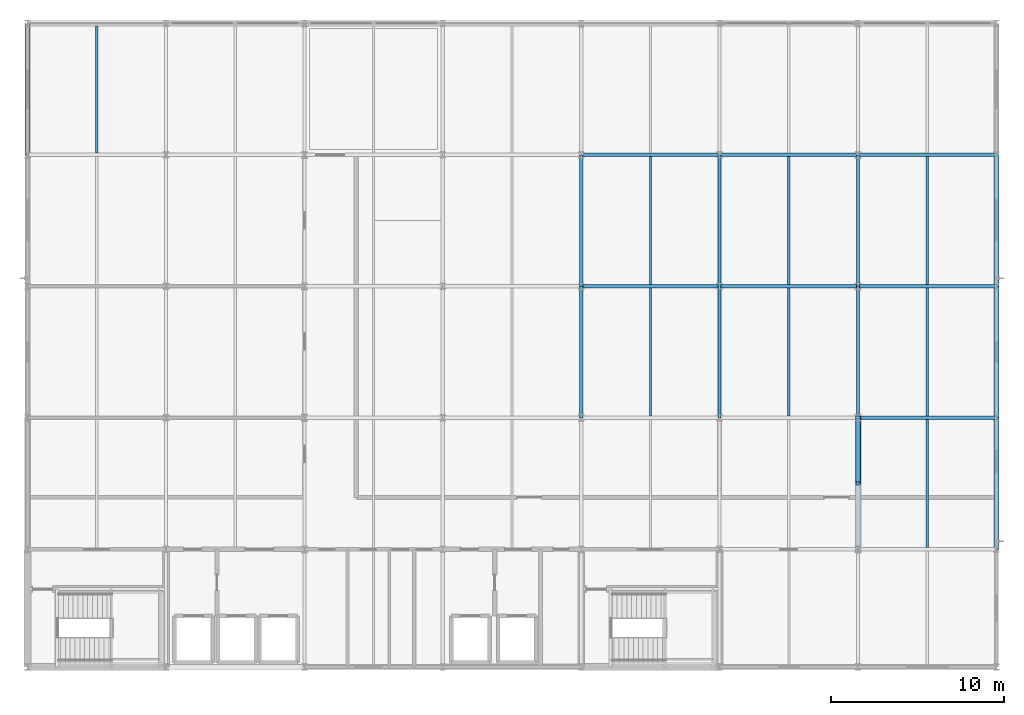
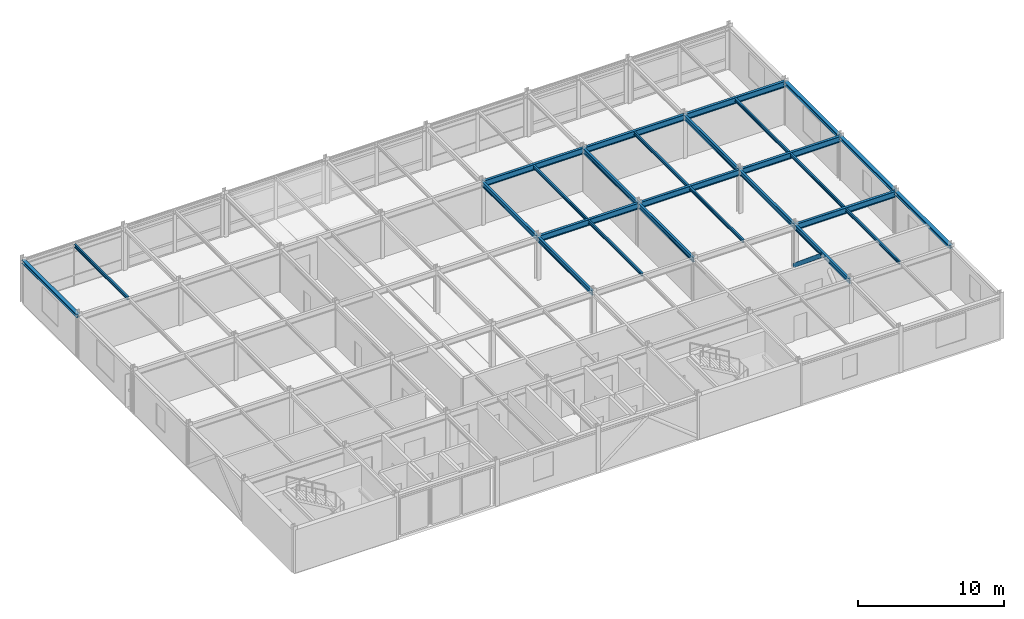
# One storey, part 5 of 15: 26 beams, 1 member.
"""IFC4 building model written with IfcOpenShell, lengths in metres."""

import ifcopenshell
import ifcopenshell.guid

model = None  # the IFC model being written
_history = None  # IfcOwnerHistory: only IFC2X3 demands one
_inside = {}  # id of a spatial element -> (the spatial element, [elements in it])
_under = {}  # id of a project, library or spatial element -> (it, [spatial elements below it])
_declared = {}  # id of a project -> (the project, [libraries it declares])
_typed = {}  # id of a type object -> (the type object, [elements of that type])
_made_of = {}  # id of a material, layer set ... -> (it, [elements and type objects made of it])


def new_model(schema):
    """Start an empty IFC model of exactly this schema.

    Asked for "IFC4X3", IfcOpenShell would pick the latest addendum, in which some entities
    have other attributes; the version numbers below select the first issue.
    IFC2X3 requires an IfcOwnerHistory on every rooted entity: one is made here for all.
    """
    global model, _history
    if schema == "IFC4X3":
        model = ifcopenshell.file(schema_version=(4, 3, 0, 0))
    else:
        model = ifcopenshell.file(schema=schema)
    _inside.clear()
    _under.clear()
    _declared.clear()
    _typed.clear()
    _made_of.clear()
    _history = None
    if model.schema == "IFC2X3":
        org = make("IfcOrganization", Name="unknown")
        user = make(
            "IfcPersonAndOrganization",
            ThePerson=make("IfcPerson", FamilyName="unknown"),
            TheOrganization=org,
        )
        app = make(
            "IfcApplication",
            ApplicationDeveloper=org,
            Version="unknown",
            ApplicationFullName="unknown",
            ApplicationIdentifier="unknown",
        )
        _history = make(
            "IfcOwnerHistory",
            OwningUser=user,
            OwningApplication=app,
            ChangeAction="ADDED",
            CreationDate=0,
        )
    return model


def make(cls, **values):
    """One entity of the class cls with the attributes given. An attribute that is None is left unset."""
    return model.create_entity(
        cls, **{name: value for name, value in values.items() if value is not None}
    )


def rooted(cls, **values):
    """An entity with a GlobalId (a new one), such as an element, a storey or a relation."""
    return make(cls, GlobalId=ifcopenshell.guid.new(), OwnerHistory=_history, **values)


def si_unit(unit_type, name, prefix=None):
    """IfcSIUnit, for example si_unit("LENGTHUNIT", "METRE", prefix="MILLI")."""
    return make("IfcSIUnit", UnitType=unit_type, Prefix=prefix, Name=name)


def assignment(units):
    """IfcUnitAssignment: the units of a project."""
    return None if units is None else make("IfcUnitAssignment", Units=units)


def point(xyz):
    """IfcCartesianPoint."""
    return None if xyz is None else make("IfcCartesianPoint", Coordinates=xyz)


def direction(xyz):
    """IfcDirection."""
    return None if xyz is None else make("IfcDirection", DirectionRatios=xyz)


def frame(location, z_axis=None, x_axis=None):
    """IfcAxis2Placement3D, a coordinate frame: its origin and axes. An axis left out is left unset."""
    return make(
        "IfcAxis2Placement3D",
        Location=point(location),
        Axis=direction(z_axis),
        RefDirection=direction(x_axis),
    )


def frame_2d(location, x_axis=None):
    """IfcAxis2Placement2D, a coordinate frame in the plane: its origin and x axis."""
    return make(
        "IfcAxis2Placement2D", Location=point(location), RefDirection=direction(x_axis)
    )


def origin():
    """The frame at (0, 0, 0) with its axes left unset."""
    return frame((0.0, 0.0, 0.0))


def origin_2d():
    """The frame at (0, 0) in the plane with its x axis left unset."""
    return frame_2d((0.0, 0.0))


def place(relative_to, where):
    """IfcLocalPlacement: puts the frame where relative to a parent placement (None: the world)."""
    return make(
        "IfcLocalPlacement", PlacementRelTo=relative_to, RelativePlacement=where
    )


def context(
    kind, dimensions, precision=None, world=None, true_north=None, identifier=None
):
    """IfcGeometricRepresentationContext, for example the 3D "Model" context."""
    return make(
        "IfcGeometricRepresentationContext",
        ContextIdentifier=identifier,
        ContextType=kind,
        CoordinateSpaceDimension=dimensions,
        Precision=precision,
        WorldCoordinateSystem=world,
        TrueNorth=true_north,
    )


def subcontext(parent, identifier, kind, view, scale=None):
    """IfcGeometricRepresentationSubContext, for example "Body" below "Model"."""
    return make(
        "IfcGeometricRepresentationSubContext",
        ContextIdentifier=identifier,
        ContextType=kind,
        ParentContext=parent,
        TargetScale=scale,
        TargetView=view,
    )


def project(units=None, contexts=None):
    """IfcProject with its units and contexts."""
    return rooted(
        "IfcProject",
        Name="project",
        RepresentationContexts=contexts,
        UnitsInContext=assignment(units),
    )


def spatial(cls, under=None, at=None, **own):
    """A site, building, storey or space (cls), placed at a placement, below another one or the project."""
    s = rooted(cls, ObjectPlacement=at, **own)
    if under is not None:
        _under.setdefault(under.id(), (under, []))[1].append(s)
    return s


def profile(cls, at=None, kind="AREA", **sizes):
    """A parametric profile (cls). Its sizes go by their IFC names, for example OverallWidth=200.0."""
    return make(cls, ProfileType=kind, Position=at, **sizes)


def hollow_circle(**sizes):
    """IfcCircleHollowProfileDef."""
    return profile("IfcCircleHollowProfileDef", **sizes)


def i_section(**sizes):
    """IfcIShapeProfileDef."""
    return profile("IfcIShapeProfileDef", **sizes)


def extrude(swept, where, along, depth):
    """IfcExtrudedAreaSolid: the profile swept, set in the frame where, extruded along a direction by depth."""
    return make(
        "IfcExtrudedAreaSolid",
        SweptArea=swept,
        Position=where,
        ExtrudedDirection=direction(along),
        Depth=depth,
    )


def shape(context_of_items, identifier, shape_type, items):
    """IfcShapeRepresentation: the items that make up one representation, for example the "Body"."""
    return make(
        "IfcShapeRepresentation",
        ContextOfItems=context_of_items,
        RepresentationIdentifier=identifier,
        RepresentationType=shape_type,
        Items=items,
    )


def material(Name=None, Category=None):
    """IfcMaterial."""
    return make("IfcMaterial", Name=Name, Category=Category)


def material_profile(
    of_material, cross_section, Name=None, Category=None, Priority=None
):
    """IfcMaterialProfile: a cross section and its material."""
    return make(
        "IfcMaterialProfile",
        Name=Name,
        Material=of_material,
        Profile=cross_section,
        Priority=Priority,
        Category=Category,
    )


def profile_set(profiles, Name=None, composite=None):
    """IfcMaterialProfileSet."""
    return make(
        "IfcMaterialProfileSet",
        Name=Name,
        MaterialProfiles=profiles,
        CompositeProfile=composite,
    )


def made_of(thing, what):
    """Note that an element or type object is made of a material, layer set ...; save() writes the relation."""
    if what is not None:
        _made_of.setdefault(what.id(), (what, []))[1].append(thing)
    return thing


def type_object(cls, material=None, **own):
    """A type object (cls), such as IfcWallType, which elements share."""
    return made_of(rooted(cls, **own), material)


def element(
    cls,
    number,
    at=None,
    inside=None,
    cuts=None,
    type_object=None,
    material=None,
    context=None,
    identifier="Body",
    shape_type=None,
    held_by="IfcProductDefinitionShape",
    body=None,
    shapes=None,
    **own,
):
    """One element of the class cls, such as IfcWall. Its Tag is "e" and its number.

    at: its placement. inside: the storey or other place that contains it. cuts: it is an
    opening in that element (IfcRelVoidsElement). A single representation is given by context,
    identifier, shape_type and body (its items); several are given by shapes. held_by: the class
    of the entity that holds the representations. save() writes the other relations.
    """
    e = rooted(cls, Tag="e%d" % number, ObjectPlacement=at, **own)
    if body is not None:
        shapes = [shape(context, identifier, shape_type, body)]
    if shapes is not None:
        e.Representation = make(held_by, Representations=shapes)
    if inside is not None:
        _inside.setdefault(inside.id(), (inside, []))[1].append(e)
    if cuts is not None:
        rooted(
            "IfcRelVoidsElement", RelatingBuildingElement=cuts, RelatedOpeningElement=e
        )
    if type_object is not None:
        _typed.setdefault(type_object.id(), (type_object, []))[1].append(e)
    return made_of(e, material)


def aggregate(whole, parts):
    """IfcRelAggregates: a whole, such as a stair, and the parts it consists of."""
    return rooted("IfcRelAggregates", RelatingObject=whole, RelatedObjects=parts)


def save(model, path):
    """Write the relations noted so far, then the file.

    IfcRelAggregates (storeys below a building ...), IfcRelContainedInSpatialStructure (elements
    in a storey), IfcRelDefinesByType, IfcRelAssociatesMaterial and IfcRelDeclares: one each for
    every whole, place, type object, material and project.
    """
    for whole, parts in _under.values():
        aggregate(whole, parts)
    for where, things in _inside.values():
        rooted(
            "IfcRelContainedInSpatialStructure",
            RelatedElements=things,
            RelatingStructure=where,
        )
    for kind, things in _typed.values():
        rooted("IfcRelDefinesByType", RelatedObjects=things, RelatingType=kind)
    for what, things in _made_of.values():
        rooted("IfcRelAssociatesMaterial", RelatedObjects=things, RelatingMaterial=what)
    for by, libraries in _declared.values():
        rooted("IfcRelDeclares", RelatingContext=by, RelatedDefinitions=libraries)
    model.write(path)


model = new_model("IFC4")

# Units and contexts
model_context = context("Model", 3, precision=1e-05, world=origin(), true_north=direction((0.0, 1.0)))
body_context = subcontext(model_context, "Body", "Model", "MODEL_VIEW")
ifc_project = project(units=[si_unit("LENGTHUNIT", "METRE"), si_unit("AREAUNIT", "SQUARE_METRE"), si_unit("VOLUMEUNIT", "CUBIC_METRE"), si_unit("PLANEANGLEUNIT", "RADIAN"), si_unit("MASSUNIT", "GRAM", prefix="KILO")], contexts=[model_context])

# Site, building, storey
site_placement = place(None, origin())
site = spatial("IfcSite", under=ifc_project, at=site_placement, CompositionType="ELEMENT")
building_placement = place(site_placement, origin())
building = spatial("IfcBuilding", under=site, at=building_placement, Name="Shalkamar Park Central Library", CompositionType="ELEMENT")
storey_placement = place(building_placement, frame((0.0, 0.0, 47.699951171875)))
storey = spatial("IfcBuildingStorey", under=building, at=storey_placement, Name="L12", CompositionType="ELEMENT", Elevation=47.699951171875)

# Beams
ifc_material = material(Name="Steel S355", Category="steel")
ifc_material_profile_1 = material_profile(ifc_material, i_section(OverallWidth=0.135009765625, OverallDepth=0.27001953125, WebThickness=0.006591796875, FlangeThickness=0.01025390625, FilletRadius=0.014892578125, at=origin_2d()), Name="IPE 270")
ifc_profile_set_1 = profile_set([ifc_material_profile_1], Name="Steel S355")
beam_type_1 = type_object("IfcBeamType", Name="Composite Floor Joist IPE270", PredefinedType="JOIST", material=ifc_profile_set_1)
beam_1_placement = place(storey_placement, frame((169.0, 278.097900390625, 3.47509765625), z_axis=(0.0, 1.0, 0.0), x_axis=(-1.0, 0.0, 0.0)))
element("IfcBeam", 1, at=beam_1_placement, inside=storey, type_object=beam_type_1, Name="Composite Joist 07/F-1 (L12)", PredefinedType="JOIST", context=body_context, shape_type="SweptSolid", body=[
    extrude(i_section(OverallWidth=0.135009765625, OverallDepth=0.27001953125, WebThickness=0.006591796875, FlangeThickness=0.01025390625, FilletRadius=0.014892578125, at=origin_2d()), origin(), (0.0, 0.0, 1.0), 7.35400390625),
])
for number, where, z_axis, x_axis, name in (
    (2, (201.0, 262.89794921875, 3.47509765625), (0.0, 1.0, 0.0), (-1.0, 0.0, 0.0), "Composite Joist 11/D-1 (L12)"),
    (3, (201.0, 270.498046875, 3.47509765625), (0.0, 1.0, 0.0), (-1.0, 0.0, 0.0), "Composite Joist 11/E-1 (L12)"),
    (4, (209.0, 262.89794921875, 3.47509765625), (0.0, 1.0, 0.0), (-1.0, 0.0, 0.0), "Composite Joist 12/D-1 (L12)"),
    (5, (209.0, 270.498046875, 3.47509765625), (0.0, 1.0, 0.0), (-1.0, 0.0, 0.0), "Composite Joist 12/E-1 (L12)"),
):
    element("IfcBeam", number, at=place(storey_placement, frame(where, z_axis=z_axis, x_axis=x_axis)), inside=storey, type_object=beam_type_1, Name=name, PredefinedType="JOIST", context=body_context, shape_type="SweptSolid", body=[
        extrude(i_section(OverallWidth=0.135009765625, OverallDepth=0.27001953125, WebThickness=0.006591796875, FlangeThickness=0.01025390625, FilletRadius=0.014892578125, at=origin_2d()), origin(), (0.0, 0.0, 1.0), 7.404052734375),
    ])
beam_2_placement = place(storey_placement, frame((217.0, 255.298095703125, 3.47509765625), z_axis=(0.0, 1.0, 0.0), x_axis=(-1.0, 0.0, 0.0)))
element("IfcBeam", 6, at=beam_2_placement, inside=storey, type_object=beam_type_1, Name="Composite Joist 13/C-1 (L12)", PredefinedType="JOIST", context=body_context, shape_type="SweptSolid", body=[
    extrude(i_section(OverallWidth=0.135009765625, OverallDepth=0.27001953125, WebThickness=0.006591796875, FlangeThickness=0.01025390625, FilletRadius=0.014892578125, at=origin_2d()), origin(), (0.0, 0.0, 1.0), 7.40380859375),
])
for number, where, z_axis, x_axis, name in (
    (7, (217.0, 262.89794921875, 3.47509765625), (0.0, 1.0, 0.0), (-1.0, 0.0, 0.0), "Composite Joist 13/D-1 (L12)"),
    (8, (217.0, 270.498046875, 3.47509765625), (0.0, 1.0, 0.0), (-1.0, 0.0, 0.0), "Composite Joist 13/E-1 (L12)"),
):
    element("IfcBeam", number, at=place(storey_placement, frame(where, z_axis=z_axis, x_axis=x_axis)), inside=storey, type_object=beam_type_1, Name=name, PredefinedType="JOIST", context=body_context, shape_type="SweptSolid", body=[
        extrude(i_section(OverallWidth=0.135009765625, OverallDepth=0.27001953125, WebThickness=0.006591796875, FlangeThickness=0.01025390625, FilletRadius=0.014892578125, at=origin_2d()), origin(), (0.0, 0.0, 1.0), 7.404052734375),
    ])

# Member
ifc_material_profile_2 = material_profile(ifc_material, hollow_circle(Radius=0.161865234375, WallThickness=0.012451171875, at=origin_2d()), Name="CHS 323.9x12.5")
ifc_profile_set_2 = profile_set([ifc_material_profile_2], Name="Steel S355")
member_type = type_object("IfcMemberType", Name="Diagonal Brace CHS323", PredefinedType="BRACE", material=ifc_profile_set_2)
member_placement = place(storey_placement, frame((213.0, 262.800048828125, 0.150146484375), z_axis=(0.0, -0.768897051899, 0.639372601525), x_axis=(1.0, 0.0, 0.0)))
element("IfcMember", 9, at=member_placement, inside=storey, type_object=member_type, Name="Chevron Brace TW-E Leg B (L12)", PredefinedType="BRACE", context=body_context, shape_type="SweptSolid", body=[
    extrude(hollow_circle(Radius=0.161865234375, WallThickness=0.012451171875, at=origin_2d()), origin(), (0.0, 0.0, 1.0), 4.942138671875),
])

# Beams
ifc_material_profile_3 = material_profile(ifc_material, i_section(OverallWidth=0.280029296875, OverallDepth=0.27001953125, WebThickness=0.008056640625, FlangeThickness=0.012939453125, FilletRadius=0.02392578125, at=origin_2d()), Name="HEA 280")
ifc_profile_set_3 = profile_set([ifc_material_profile_3], Name="Steel S355")
beam_type_2 = type_object("IfcBeamType", Name="Perimeter Spandrel Beam HEA280", PredefinedType="SPANDREL", material=ifc_profile_set_3)
for number, where, z_axis, x_axis, name in (
    (10, (165.0, 278.0, 3.47509765625), (0.0, 1.0, 0.0), (-1.0, 0.0, 0.0), "Beam 07:F-G (L12)"),
    (11, (221.0, 255.199951171875, 3.47509765625), (0.0, 1.0, 0.0), (-1.0, 0.0, 0.0), "Beam 14:C-D (L12)"),
):
    element("IfcBeam", number, at=place(storey_placement, frame(where, z_axis=z_axis, x_axis=x_axis)), inside=storey, type_object=beam_type_2, Name=name, PredefinedType="SPANDREL", context=body_context, shape_type="SweptSolid", body=[
        extrude(i_section(OverallWidth=0.280029296875, OverallDepth=0.27001953125, WebThickness=0.008056640625, FlangeThickness=0.012939453125, FilletRadius=0.02392578125, at=origin_2d()), origin(), (0.0, 0.0, 1.0), 7.60009765625),
    ])
beam_3_placement = place(storey_placement, frame((221.0, 262.800048828125, 3.47509765625), z_axis=(0.0, 1.0, 0.0), x_axis=(-1.0, 0.0, 0.0)))
element("IfcBeam", 12, at=beam_3_placement, inside=storey, type_object=beam_type_2, Name="Beam 14:D-E (L12)", PredefinedType="SPANDREL", context=body_context, shape_type="SweptSolid", body=[
    extrude(i_section(OverallWidth=0.280029296875, OverallDepth=0.27001953125, WebThickness=0.008056640625, FlangeThickness=0.012939453125, FilletRadius=0.02392578125, at=origin_2d()), origin(), (0.0, 0.0, 1.0), 7.599853515625),
])
beam_4_placement = place(storey_placement, frame((221.0, 270.39990234375, 3.47509765625), z_axis=(0.0, 1.0, 0.0), x_axis=(-1.0, 0.0, 0.0)))
element("IfcBeam", 13, at=beam_4_placement, inside=storey, type_object=beam_type_2, Name="Beam 14:E-F (L12)", PredefinedType="SPANDREL", context=body_context, shape_type="SweptSolid", body=[
    extrude(i_section(OverallWidth=0.280029296875, OverallDepth=0.27001953125, WebThickness=0.008056640625, FlangeThickness=0.012939453125, FilletRadius=0.02392578125, at=origin_2d()), origin(), (0.0, 0.0, 1.0), 7.60009765625),
])
ifc_material_profile_4 = material_profile(ifc_material, i_section(OverallWidth=0.179931640625, OverallDepth=0.39990234375, WebThickness=0.008544921875, FlangeThickness=0.013427734375, FilletRadius=0.02099609375, at=origin_2d()), Name="IPE 400")
ifc_profile_set_4 = profile_set([ifc_material_profile_4], Name="Steel S355")
beam_type_3 = type_object("IfcBeamType", Name="Primary Girder IPE400", PredefinedType="BEAM", material=ifc_profile_set_4)
beam_5_placement = place(storey_placement, frame((197.0, 262.800048828125, 3.41015625), z_axis=(0.0, 1.0, 0.0), x_axis=(-1.0, 0.0, 0.0)))
element("IfcBeam", 14, at=beam_5_placement, inside=storey, type_object=beam_type_3, Name="Beam 11:D-E (L12)", PredefinedType="BEAM", context=body_context, shape_type="SweptSolid", body=[
    extrude(i_section(OverallWidth=0.179931640625, OverallDepth=0.39990234375, WebThickness=0.008544921875, FlangeThickness=0.013427734375, FilletRadius=0.02099609375, at=origin_2d()), origin(), (0.0, 0.0, 1.0), 7.599853515625),
])
beam_6_placement = place(storey_placement, frame((197.0, 270.39990234375, 3.41015625), z_axis=(0.0, 1.0, 0.0), x_axis=(-1.0, 0.0, 0.0)))
element("IfcBeam", 15, at=beam_6_placement, inside=storey, type_object=beam_type_3, Name="Beam 11:E-F (L12)", PredefinedType="BEAM", context=body_context, shape_type="SweptSolid", body=[
    extrude(i_section(OverallWidth=0.179931640625, OverallDepth=0.39990234375, WebThickness=0.008544921875, FlangeThickness=0.013427734375, FilletRadius=0.02099609375, at=origin_2d()), origin(), (0.0, 0.0, 1.0), 7.60009765625),
])
beam_7_placement = place(storey_placement, frame((205.0, 262.800048828125, 3.41015625), z_axis=(0.0, 1.0, 0.0), x_axis=(-1.0, 0.0, 0.0)))
element("IfcBeam", 16, at=beam_7_placement, inside=storey, type_object=beam_type_3, Name="Beam 12:D-E (L12)", PredefinedType="BEAM", context=body_context, shape_type="SweptSolid", body=[
    extrude(i_section(OverallWidth=0.179931640625, OverallDepth=0.39990234375, WebThickness=0.008544921875, FlangeThickness=0.013427734375, FilletRadius=0.02099609375, at=origin_2d()), origin(), (0.0, 0.0, 1.0), 7.599853515625),
])
for number, where, z_axis, x_axis, name in (
    (17, (205.0, 270.39990234375, 3.41015625), (0.0, 1.0, 0.0), (-1.0, 0.0, 0.0), "Beam 12:E-F (L12)"),
    (18, (213.0, 255.199951171875, 3.41015625), (0.0, 1.0, 0.0), (-1.0, 0.0, 0.0), "Beam 13:C-D (L12)"),
):
    element("IfcBeam", number, at=place(storey_placement, frame(where, z_axis=z_axis, x_axis=x_axis)), inside=storey, type_object=beam_type_3, Name=name, PredefinedType="BEAM", context=body_context, shape_type="SweptSolid", body=[
        extrude(i_section(OverallWidth=0.179931640625, OverallDepth=0.39990234375, WebThickness=0.008544921875, FlangeThickness=0.013427734375, FilletRadius=0.02099609375, at=origin_2d()), origin(), (0.0, 0.0, 1.0), 7.60009765625),
    ])
beam_8_placement = place(storey_placement, frame((213.0, 262.800048828125, 3.41015625), z_axis=(0.0, 1.0, 0.0), x_axis=(-1.0, 0.0, 0.0)))
element("IfcBeam", 19, at=beam_8_placement, inside=storey, type_object=beam_type_3, Name="Beam 13:D-E (L12)", PredefinedType="BEAM", context=body_context, shape_type="SweptSolid", body=[
    extrude(i_section(OverallWidth=0.179931640625, OverallDepth=0.39990234375, WebThickness=0.008544921875, FlangeThickness=0.013427734375, FilletRadius=0.02099609375, at=origin_2d()), origin(), (0.0, 0.0, 1.0), 7.599853515625),
])
beam_9_placement = place(storey_placement, frame((213.0, 270.39990234375, 3.41015625), z_axis=(0.0, 1.0, 0.0), x_axis=(-1.0, 0.0, 0.0)))
element("IfcBeam", 20, at=beam_9_placement, inside=storey, type_object=beam_type_3, Name="Beam 13:E-F (L12)", PredefinedType="BEAM", context=body_context, shape_type="SweptSolid", body=[
    extrude(i_section(OverallWidth=0.179931640625, OverallDepth=0.39990234375, WebThickness=0.008544921875, FlangeThickness=0.013427734375, FilletRadius=0.02099609375, at=origin_2d()), origin(), (0.0, 0.0, 1.0), 7.60009765625),
])
ifc_material_profile_5 = material_profile(ifc_material, i_section(OverallWidth=0.199951171875, OverallDepth=0.5, WebThickness=0.01025390625, FlangeThickness=0.01611328125, FilletRadius=0.02099609375, at=origin_2d()), Name="IPE 500")
ifc_profile_set_5 = profile_set([ifc_material_profile_5], Name="Steel S355")
beam_type_4 = type_object("IfcBeamType", Name="Primary Girder IPE500", PredefinedType="BEAM", material=ifc_profile_set_5)
for number, where, z_axis, x_axis, name in (
    (21, (213.0, 262.800048828125, 3.360107421875), (1.0, 0.0, 0.0), (0.0, 1.0, 0.0), "Beam D:13-14 (L12)"),
    (22, (197.0, 270.39990234375, 3.360107421875), (1.0, 0.0, 0.0), (0.0, 1.0, 0.0), "Beam E:11-12 (L12)"),
    (23, (205.0, 270.39990234375, 3.360107421875), (1.0, 0.0, 0.0), (0.0, 1.0, 0.0), "Beam E:12-13 (L12)"),
    (24, (213.0, 270.39990234375, 3.360107421875), (1.0, 0.0, 0.0), (0.0, 1.0, 0.0), "Beam E:13-14 (L12)"),
    (25, (197.0, 278.0, 3.360107421875), (1.0, 0.0, 0.0), (0.0, 1.0, 0.0), "Beam F:11-12 (L12)"),
    (26, (205.0, 278.0, 3.360107421875), (1.0, 0.0, 0.0), (0.0, 1.0, 0.0), "Beam F:12-13 (L12)"),
    (27, (213.0, 278.0, 3.360107421875), (1.0, 0.0, 0.0), (0.0, 1.0, 0.0), "Beam F:13-14 (L12)"),
):
    element("IfcBeam", number, at=place(storey_placement, frame(where, z_axis=z_axis, x_axis=x_axis)), inside=storey, type_object=beam_type_4, Name=name, PredefinedType="BEAM", context=body_context, shape_type="SweptSolid", body=[
        extrude(i_section(OverallWidth=0.199951171875, OverallDepth=0.5, WebThickness=0.01025390625, FlangeThickness=0.01611328125, FilletRadius=0.02099609375, at=origin_2d()), origin(), (0.0, 0.0, 1.0), 8.0),
    ])

save(model, "model.ifc")
